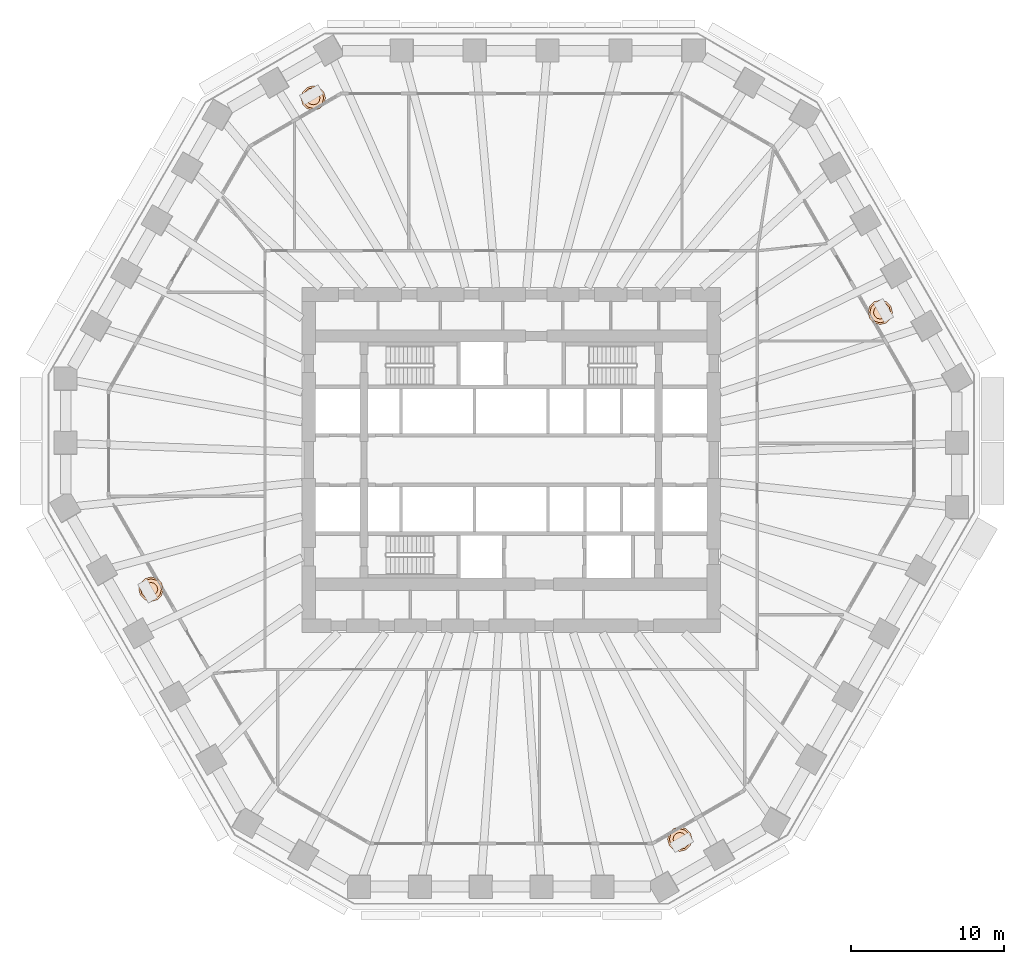
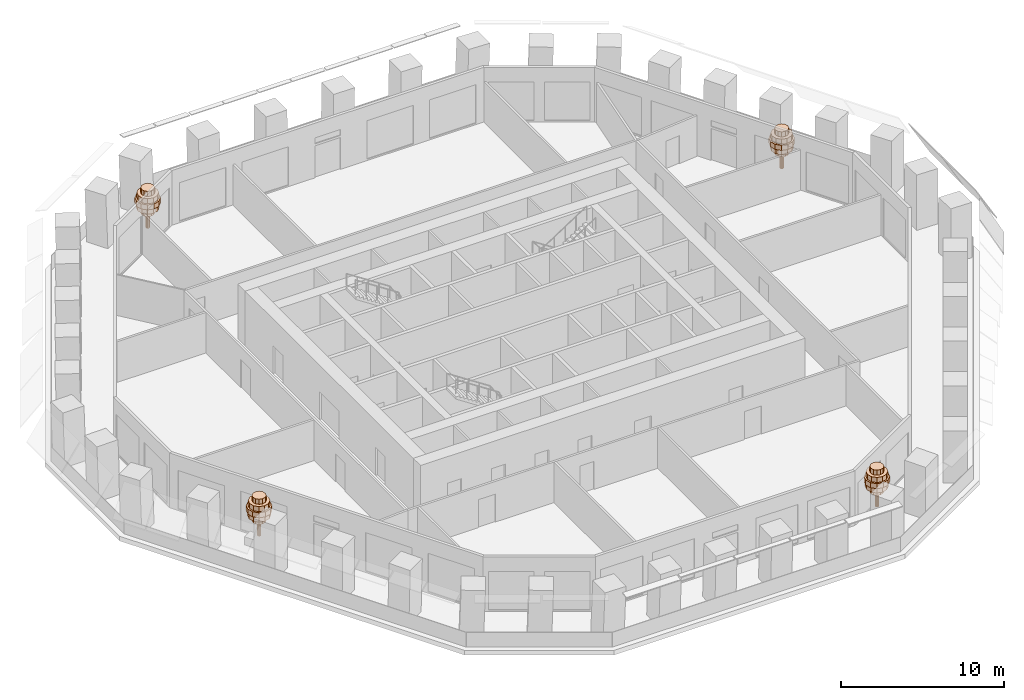
# One storey, part 12 of 12: 4 geographic elements.
"""IFC4 building model written with IfcOpenShell, lengths in metres."""

from ifc_helpers import new_model, si_unit, direction, frame, origin, place, context, subcontext, project, spatial, polyline, outline, extrude, material, type_object, element, save


model = new_model("IFC4")

# Units and contexts
model_context = context("Model", 3, precision=1e-05, world=origin(), true_north=direction((0.0, 1.0)))
body_context = subcontext(model_context, "Body", "Model", "MODEL_VIEW")
ifc_project = project(units=[si_unit("LENGTHUNIT", "METRE"), si_unit("AREAUNIT", "SQUARE_METRE"), si_unit("VOLUMEUNIT", "CUBIC_METRE"), si_unit("PLANEANGLEUNIT", "RADIAN"), si_unit("MASSUNIT", "GRAM", prefix="KILO")], contexts=[model_context])

# Site, building, storey
site_placement = place(None, origin())
site = spatial("IfcSite", under=ifc_project, at=site_placement, CompositionType="ELEMENT")
building_placement = place(site_placement, origin())
building = spatial("IfcBuilding", under=site, at=building_placement, Name="Frailejon Research Tower", CompositionType="ELEMENT")
storey_placement = place(building_placement, frame((0.0, 0.0, 49.800048828125)))
storey = spatial("IfcBuildingStorey", under=building, at=storey_placement, Name="L11", CompositionType="ELEMENT", Elevation=49.800048828125)

# Geographic elements
ifc_material = material(Name="Foliage, green")
geographic_element_type = type_object("IfcGeographicElementType", Name="Frailejon tree, loggia", PredefinedType="USERDEFINED", material=ifc_material)
geographic_element_1_placement = place(storey_placement, frame((24.0625, 9.635009765625, 0.599853515625)))
element("IfcGeographicElement", 1, at=geographic_element_1_placement, inside=storey, type_object=geographic_element_type, Name="Tree L11", ObjectType="TREE", PredefinedType="USERDEFINED", context=body_context, shape_type="SweptSolid", body=[
    extrude(outline(polyline([(0.1298828125, 0.0), (0.112548828125, 0.06494140625), (0.06494140625, 0.112548828125), (0.0, 0.1298828125), (-0.06494140625, 0.112548828125), (-0.112548828125, 0.06494140625), (-0.1298828125, 0.0), (-0.112548828125, -0.06494140625), (-0.06494140625, -0.112548828125), (0.0, -0.1298828125), (0.06494140625, -0.112548828125), (0.112548828125, -0.06494140625), (0.1298828125, 0.0)])), origin(), (0.0, 0.0, 1.0), 2.239990234375),
    extrude(outline(polyline([(0.43994140625, 0.0), (0.381103515625, 0.219970703125), (0.219970703125, 0.381103515625), (0.0, 0.43994140625), (-0.219970703125, 0.381103515625), (-0.381103515625, 0.219970703125), (-0.43994140625, 0.0), (-0.381103515625, -0.219970703125), (-0.219970703125, -0.381103515625), (0.0, -0.43994140625), (0.219970703125, -0.381103515625), (0.381103515625, -0.219970703125), (0.43994140625, 0.0)])), frame((0.0, 0.0, 1.10009765625)), (0.0, 0.0, 1.0), 0.3798828125),
    extrude(outline(polyline([(0.719970703125, 0.0), (0.62353515625, 0.360107421875), (0.360107421875, 0.62353515625), (0.0, 0.719970703125), (-0.360107421875, 0.62353515625), (-0.62353515625, 0.360107421875), (-0.719970703125, 0.0), (-0.62353515625, -0.360107421875), (-0.360107421875, -0.62353515625), (0.0, -0.719970703125), (0.360107421875, -0.62353515625), (0.62353515625, -0.360107421875), (0.719970703125, 0.0)])), frame((0.0, 0.0, 1.47998046875)), (0.0, 0.0, 1.0), 0.3798828125),
    extrude(outline(polyline([(0.800048828125, 0.0), (0.69287109375, 0.39990234375), (0.39990234375, 0.69287109375), (0.0, 0.800048828125), (-0.39990234375, 0.69287109375), (-0.69287109375, 0.39990234375), (-0.800048828125, 0.0), (-0.69287109375, -0.39990234375), (-0.39990234375, -0.69287109375), (0.0, -0.800048828125), (0.39990234375, -0.69287109375), (0.69287109375, -0.39990234375), (0.800048828125, 0.0)])), frame((0.0, 0.0, 1.860107421875)), (0.0, 0.0, 1.0), 0.3798828125),
    extrude(outline(polyline([(0.679931640625, 0.0), (0.5888671875, 0.340087890625), (0.340087890625, 0.5888671875), (0.0, 0.679931640625), (-0.340087890625, 0.5888671875), (-0.5888671875, 0.340087890625), (-0.679931640625, 0.0), (-0.5888671875, -0.340087890625), (-0.340087890625, -0.5888671875), (0.0, -0.679931640625), (0.340087890625, -0.5888671875), (0.5888671875, -0.340087890625), (0.679931640625, 0.0)])), frame((0.0, 0.0, 2.239990234375)), (0.0, 0.0, 1.0), 0.3798828125),
    extrude(outline(polyline([(0.43994140625, 0.0), (0.381103515625, 0.219970703125), (0.219970703125, 0.381103515625), (0.0, 0.43994140625), (-0.219970703125, 0.381103515625), (-0.381103515625, 0.219970703125), (-0.43994140625, 0.0), (-0.381103515625, -0.219970703125), (-0.219970703125, -0.381103515625), (0.0, -0.43994140625), (0.219970703125, -0.381103515625), (0.381103515625, -0.219970703125), (0.43994140625, 0.0)])), frame((0.0, 0.0, 2.6201171875)), (0.0, 0.0, 1.0), 0.3798828125),
])
geographic_element_2_placement = place(storey_placement, frame((-12.90869140625, 23.6103515625, 0.599853515625)))
element("IfcGeographicElement", 2, at=geographic_element_2_placement, inside=storey, type_object=geographic_element_type, Name="Tree L11", ObjectType="TREE", PredefinedType="USERDEFINED", context=body_context, shape_type="SweptSolid", body=[
    extrude(outline(polyline([(0.1298828125, 0.0), (0.112548828125, 0.06494140625), (0.06494140625, 0.112548828125), (0.0, 0.1298828125), (-0.06494140625, 0.112548828125), (-0.112548828125, 0.06494140625), (-0.1298828125, 0.0), (-0.112548828125, -0.06494140625), (-0.06494140625, -0.112548828125), (0.0, -0.1298828125), (0.06494140625, -0.112548828125), (0.112548828125, -0.06494140625), (0.1298828125, 0.0)])), origin(), (0.0, 0.0, 1.0), 2.239990234375),
    extrude(outline(polyline([(0.43994140625, 0.0), (0.381103515625, 0.219970703125), (0.219970703125, 0.381103515625), (0.0, 0.43994140625), (-0.219970703125, 0.381103515625), (-0.381103515625, 0.219970703125), (-0.43994140625, 0.0), (-0.381103515625, -0.219970703125), (-0.219970703125, -0.381103515625), (0.0, -0.43994140625), (0.219970703125, -0.381103515625), (0.381103515625, -0.219970703125), (0.43994140625, 0.0)])), frame((0.0, 0.0, 1.10009765625)), (0.0, 0.0, 1.0), 0.3798828125),
    extrude(outline(polyline([(0.719970703125, 0.0), (0.62353515625, 0.360107421875), (0.360107421875, 0.62353515625), (0.0, 0.719970703125), (-0.360107421875, 0.62353515625), (-0.62353515625, 0.360107421875), (-0.719970703125, 0.0), (-0.62353515625, -0.360107421875), (-0.360107421875, -0.62353515625), (0.0, -0.719970703125), (0.360107421875, -0.62353515625), (0.62353515625, -0.360107421875), (0.719970703125, 0.0)])), frame((0.0, 0.0, 1.47998046875)), (0.0, 0.0, 1.0), 0.3798828125),
    extrude(outline(polyline([(0.800048828125, 0.0), (0.69287109375, 0.39990234375), (0.39990234375, 0.69287109375), (0.0, 0.800048828125), (-0.39990234375, 0.69287109375), (-0.69287109375, 0.39990234375), (-0.800048828125, 0.0), (-0.69287109375, -0.39990234375), (-0.39990234375, -0.69287109375), (0.0, -0.800048828125), (0.39990234375, -0.69287109375), (0.69287109375, -0.39990234375), (0.800048828125, 0.0)])), frame((0.0, 0.0, 1.860107421875)), (0.0, 0.0, 1.0), 0.3798828125),
    extrude(outline(polyline([(0.679931640625, 0.0), (0.5888671875, 0.340087890625), (0.340087890625, 0.5888671875), (0.0, 0.679931640625), (-0.340087890625, 0.5888671875), (-0.5888671875, 0.340087890625), (-0.679931640625, 0.0), (-0.5888671875, -0.340087890625), (-0.340087890625, -0.5888671875), (0.0, -0.679931640625), (0.340087890625, -0.5888671875), (0.5888671875, -0.340087890625), (0.679931640625, 0.0)])), frame((0.0, 0.0, 2.239990234375)), (0.0, 0.0, 1.0), 0.3798828125),
    extrude(outline(polyline([(0.43994140625, 0.0), (0.381103515625, 0.219970703125), (0.219970703125, 0.381103515625), (0.0, 0.43994140625), (-0.219970703125, 0.381103515625), (-0.381103515625, 0.219970703125), (-0.43994140625, 0.0), (-0.381103515625, -0.219970703125), (-0.219970703125, -0.381103515625), (0.0, -0.43994140625), (0.219970703125, -0.381103515625), (0.381103515625, -0.219970703125), (0.43994140625, 0.0)])), frame((0.0, 0.0, 2.6201171875)), (0.0, 0.0, 1.0), 0.3798828125),
])
geographic_element_3_placement = place(storey_placement, frame((-23.48779296875, -8.418212890625, 0.599853515625)))
element("IfcGeographicElement", 3, at=geographic_element_3_placement, inside=storey, type_object=geographic_element_type, Name="Tree L11", ObjectType="TREE", PredefinedType="USERDEFINED", context=body_context, shape_type="SweptSolid", body=[
    extrude(outline(polyline([(0.1298828125, 0.0), (0.112548828125, 0.06494140625), (0.06494140625, 0.112548828125), (0.0, 0.1298828125), (-0.06494140625, 0.112548828125), (-0.112548828125, 0.06494140625), (-0.1298828125, 0.0), (-0.112548828125, -0.06494140625), (-0.06494140625, -0.112548828125), (0.0, -0.1298828125), (0.06494140625, -0.112548828125), (0.112548828125, -0.06494140625), (0.1298828125, 0.0)])), origin(), (0.0, 0.0, 1.0), 2.239990234375),
    extrude(outline(polyline([(0.43994140625, 0.0), (0.381103515625, 0.219970703125), (0.219970703125, 0.381103515625), (0.0, 0.43994140625), (-0.219970703125, 0.381103515625), (-0.381103515625, 0.219970703125), (-0.43994140625, 0.0), (-0.381103515625, -0.219970703125), (-0.219970703125, -0.381103515625), (0.0, -0.43994140625), (0.219970703125, -0.381103515625), (0.381103515625, -0.219970703125), (0.43994140625, 0.0)])), frame((0.0, 0.0, 1.10009765625)), (0.0, 0.0, 1.0), 0.3798828125),
    extrude(outline(polyline([(0.719970703125, 0.0), (0.62353515625, 0.360107421875), (0.360107421875, 0.62353515625), (0.0, 0.719970703125), (-0.360107421875, 0.62353515625), (-0.62353515625, 0.360107421875), (-0.719970703125, 0.0), (-0.62353515625, -0.360107421875), (-0.360107421875, -0.62353515625), (0.0, -0.719970703125), (0.360107421875, -0.62353515625), (0.62353515625, -0.360107421875), (0.719970703125, 0.0)])), frame((0.0, 0.0, 1.47998046875)), (0.0, 0.0, 1.0), 0.3798828125),
    extrude(outline(polyline([(0.800048828125, 0.0), (0.69287109375, 0.39990234375), (0.39990234375, 0.69287109375), (0.0, 0.800048828125), (-0.39990234375, 0.69287109375), (-0.69287109375, 0.39990234375), (-0.800048828125, 0.0), (-0.69287109375, -0.39990234375), (-0.39990234375, -0.69287109375), (0.0, -0.800048828125), (0.39990234375, -0.69287109375), (0.69287109375, -0.39990234375), (0.800048828125, 0.0)])), frame((0.0, 0.0, 1.860107421875)), (0.0, 0.0, 1.0), 0.3798828125),
    extrude(outline(polyline([(0.679931640625, 0.0), (0.5888671875, 0.340087890625), (0.340087890625, 0.5888671875), (0.0, 0.679931640625), (-0.340087890625, 0.5888671875), (-0.5888671875, 0.340087890625), (-0.679931640625, 0.0), (-0.5888671875, -0.340087890625), (-0.340087890625, -0.5888671875), (0.0, -0.679931640625), (0.340087890625, -0.5888671875), (0.5888671875, -0.340087890625), (0.679931640625, 0.0)])), frame((0.0, 0.0, 2.239990234375)), (0.0, 0.0, 1.0), 0.3798828125),
    extrude(outline(polyline([(0.43994140625, 0.0), (0.381103515625, 0.219970703125), (0.219970703125, 0.381103515625), (0.0, 0.43994140625), (-0.219970703125, 0.381103515625), (-0.381103515625, 0.219970703125), (-0.43994140625, 0.0), (-0.381103515625, -0.219970703125), (-0.219970703125, -0.381103515625), (0.0, -0.43994140625), (0.219970703125, -0.381103515625), (0.381103515625, -0.219970703125), (0.43994140625, 0.0)])), frame((0.0, 0.0, 2.6201171875)), (0.0, 0.0, 1.0), 0.3798828125),
])
geographic_element_4_placement = place(storey_placement, frame((10.99267578125, -24.716552734375, 0.599853515625)))
element("IfcGeographicElement", 4, at=geographic_element_4_placement, inside=storey, type_object=geographic_element_type, Name="Tree L11", ObjectType="TREE", PredefinedType="USERDEFINED", context=body_context, shape_type="SweptSolid", body=[
    extrude(outline(polyline([(0.1298828125, 0.0), (0.112548828125, 0.06494140625), (0.06494140625, 0.112548828125), (0.0, 0.1298828125), (-0.06494140625, 0.112548828125), (-0.112548828125, 0.06494140625), (-0.1298828125, 0.0), (-0.112548828125, -0.06494140625), (-0.06494140625, -0.112548828125), (0.0, -0.1298828125), (0.06494140625, -0.112548828125), (0.112548828125, -0.06494140625), (0.1298828125, 0.0)])), origin(), (0.0, 0.0, 1.0), 2.239990234375),
    extrude(outline(polyline([(0.43994140625, 0.0), (0.381103515625, 0.219970703125), (0.219970703125, 0.381103515625), (0.0, 0.43994140625), (-0.219970703125, 0.381103515625), (-0.381103515625, 0.219970703125), (-0.43994140625, 0.0), (-0.381103515625, -0.219970703125), (-0.219970703125, -0.381103515625), (0.0, -0.43994140625), (0.219970703125, -0.381103515625), (0.381103515625, -0.219970703125), (0.43994140625, 0.0)])), frame((0.0, 0.0, 1.10009765625)), (0.0, 0.0, 1.0), 0.3798828125),
    extrude(outline(polyline([(0.719970703125, 0.0), (0.62353515625, 0.360107421875), (0.360107421875, 0.62353515625), (0.0, 0.719970703125), (-0.360107421875, 0.62353515625), (-0.62353515625, 0.360107421875), (-0.719970703125, 0.0), (-0.62353515625, -0.360107421875), (-0.360107421875, -0.62353515625), (0.0, -0.719970703125), (0.360107421875, -0.62353515625), (0.62353515625, -0.360107421875), (0.719970703125, 0.0)])), frame((0.0, 0.0, 1.47998046875)), (0.0, 0.0, 1.0), 0.3798828125),
    extrude(outline(polyline([(0.800048828125, 0.0), (0.69287109375, 0.39990234375), (0.39990234375, 0.69287109375), (0.0, 0.800048828125), (-0.39990234375, 0.69287109375), (-0.69287109375, 0.39990234375), (-0.800048828125, 0.0), (-0.69287109375, -0.39990234375), (-0.39990234375, -0.69287109375), (0.0, -0.800048828125), (0.39990234375, -0.69287109375), (0.69287109375, -0.39990234375), (0.800048828125, 0.0)])), frame((0.0, 0.0, 1.860107421875)), (0.0, 0.0, 1.0), 0.3798828125),
    extrude(outline(polyline([(0.679931640625, 0.0), (0.5888671875, 0.340087890625), (0.340087890625, 0.5888671875), (0.0, 0.679931640625), (-0.340087890625, 0.5888671875), (-0.5888671875, 0.340087890625), (-0.679931640625, 0.0), (-0.5888671875, -0.340087890625), (-0.340087890625, -0.5888671875), (0.0, -0.679931640625), (0.340087890625, -0.5888671875), (0.5888671875, -0.340087890625), (0.679931640625, 0.0)])), frame((0.0, 0.0, 2.239990234375)), (0.0, 0.0, 1.0), 0.3798828125),
    extrude(outline(polyline([(0.43994140625, 0.0), (0.381103515625, 0.219970703125), (0.219970703125, 0.381103515625), (0.0, 0.43994140625), (-0.219970703125, 0.381103515625), (-0.381103515625, 0.219970703125), (-0.43994140625, 0.0), (-0.381103515625, -0.219970703125), (-0.219970703125, -0.381103515625), (0.0, -0.43994140625), (0.219970703125, -0.381103515625), (0.381103515625, -0.219970703125), (0.43994140625, 0.0)])), frame((0.0, 0.0, 2.6201171875)), (0.0, 0.0, 1.0), 0.3798828125),
])

save(model, "model.ifc")
